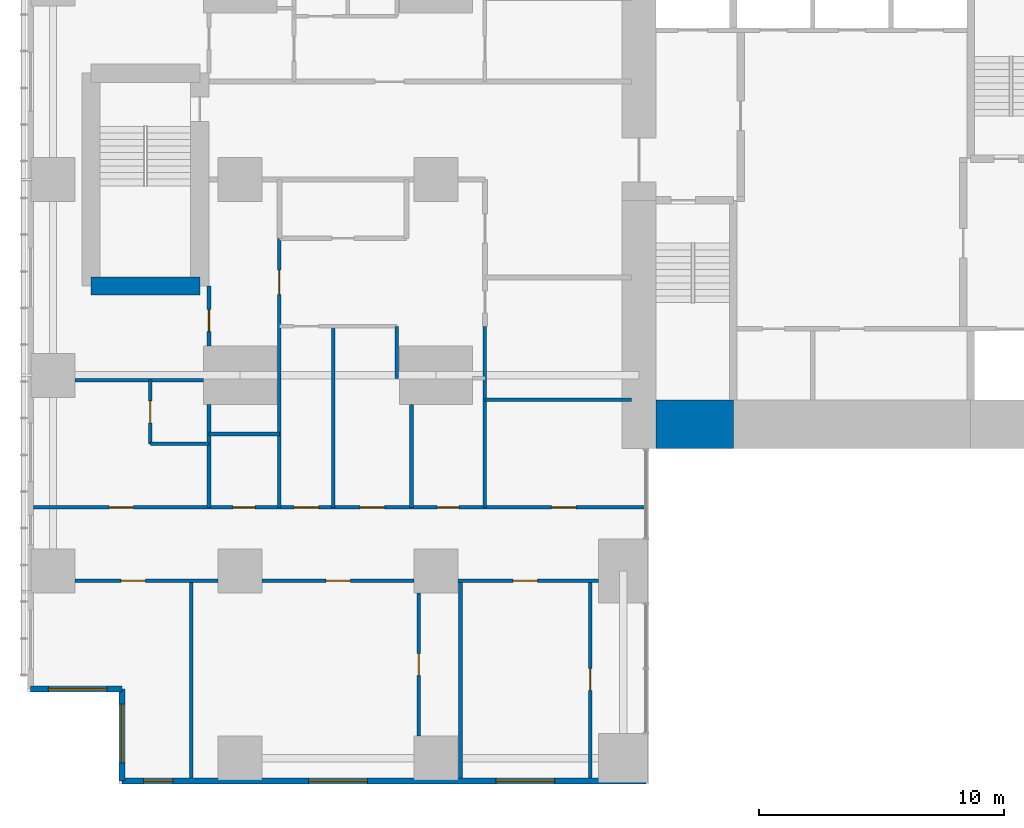
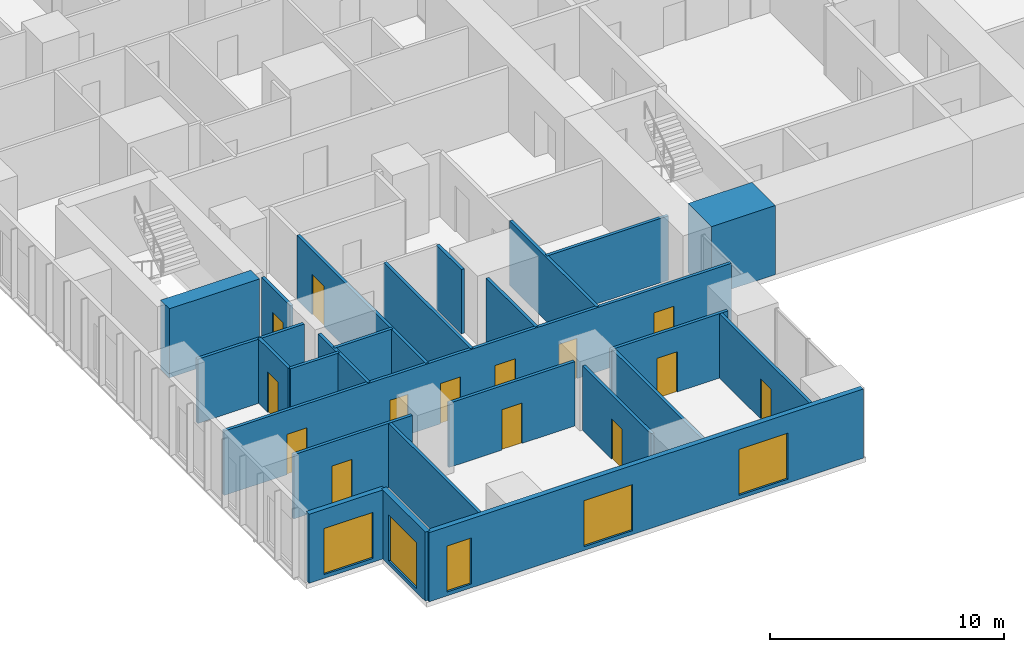
# One storey, part 12 of 20: 25 walls, 14 doors, 5 windows, 19 openings.
"""IFC4 building model written with IfcOpenShell, lengths in metres."""

from ifc_helpers import new_model, si_unit, direction, frame, frame_2d, origin, place, context, subcontext, project, spatial, rectangle, extrude, material, layer, layer_set, type_object, element, fill, save


model = new_model("IFC4")

# Units and contexts
model_context = context("Model", 3, precision=1e-05, world=origin(), true_north=direction((0.0, 1.0)))
body_context = subcontext(model_context, "Body", "Model", "MODEL_VIEW")
ifc_project = project(units=[si_unit("LENGTHUNIT", "METRE"), si_unit("AREAUNIT", "SQUARE_METRE"), si_unit("VOLUMEUNIT", "CUBIC_METRE"), si_unit("PLANEANGLEUNIT", "RADIAN"), si_unit("MASSUNIT", "GRAM", prefix="KILO")], contexts=[model_context])

# Site, building, storey
site_placement = place(None, origin())
site = spatial("IfcSite", under=ifc_project, at=site_placement, CompositionType="ELEMENT")
building_placement = place(site_placement, origin())
building = spatial("IfcBuilding", under=site, at=building_placement, Name="Cleftline Residences", CompositionType="ELEMENT")
storey_placement = place(building_placement, frame((0.0, 0.0, 193.0)))
storey = spatial("IfcBuildingStorey", under=building, at=storey_placement, Name="L50", CompositionType="ELEMENT", Elevation=193.0)

# Wall
ifc_material_1 = material(Name="Concrete B70", Category="concrete")
ifc_layer_1 = layer(ifc_material_1, 2.0)
ifc_layer_set_1 = layer_set([ifc_layer_1], Name="CORE WALL 2000")
wall_type_1 = type_object("IfcWallType", Name="CORE WALL 2000", PredefinedType="SHEAR", material=ifc_layer_set_1)
wall_1_placement = place(storey_placement, frame((25.0, 14.0, 0.0), z_axis=(0.0, 0.0, 1.0), x_axis=(1.0, 0.0, 0.0)))
element("IfcWall", 1, at=wall_1_placement, inside=storey, type_object=wall_type_1, Name="Core wall S1", PredefinedType="SHEAR", context=body_context, shape_type="SweptSolid", body=[
    extrude(rectangle(XDim=3.14990234375, YDim=2.0, at=frame_2d((1.574951171875, 0.0))), origin(), (0.0, 0.0, 1.0), 3.60009765625),
])

# Wall, opening, window
ifc_material_2 = material(Name="Rendered reinforced concrete blockwork", Category="masonry")
ifc_layer_2 = layer(ifc_material_2, 0.25)
ifc_layer_set_2 = layer_set([ifc_layer_2], Name="EXTERNAL WALL 250")
wall_type_2 = type_object("IfcWallType", Name="EXTERNAL WALL 250", PredefinedType="SOLIDWALL", material=ifc_layer_set_2)
wall_2_placement = place(storey_placement, frame((-0.574951171875, 3.175048828125, 0.0), z_axis=(0.0, 0.0, 1.0), x_axis=(1.0, 0.0, 0.0)))
wall_2 = element("IfcWall", 2, at=wall_2_placement, inside=storey, type_object=wall_type_2, Name="External wall", PredefinedType="SOLIDWALL", context=body_context, shape_type="SweptSolid", body=[
    extrude(rectangle(XDim=3.75, YDim=0.25, at=frame_2d((1.875, 0.0))), origin(), (0.0, 0.0, 1.0), 3.60009765625),
])
opening_1_placement = place(wall_2_placement, frame((0.737548828125, 0.0, 0.199951171875)))
opening_1 = element("IfcOpeningElement", 3, at=opening_1_placement, cuts=wall_2, Name="Opening W9", PredefinedType="OPENING", context=body_context, shape_type="SweptSolid", body=[
    extrude(rectangle(XDim=2.39990234375, YDim=2.39990234375, at=frame_2d((1.199951171875, 1.199951171875))), frame((0.0, 0.135009765625, 0.0), z_axis=(0.0, -1.0, 0.0), x_axis=(1.0, 0.0, 0.0)), (0.0, 0.0, 1.0), 0.27001953125),
])
ifc_material_3 = material(Name="Aluminium frame, clear double glazing", Category="aluminium")
window_type_1 = type_object("IfcWindowType", Name="WINDOW 2400X2400", PartitioningType="DOUBLE_PANEL_VERTICAL", PredefinedType="WINDOW", material=ifc_material_3)
window_1_placement = place(opening_1_placement, origin())
window_1 = element("IfcWindow", 4, at=window_1_placement, inside=storey, type_object=window_type_1, Name="Window", OverallHeight=2.39990234375, OverallWidth=2.39990234375, PartitioningType="SINGLE_PANEL", PredefinedType="WINDOW", context=body_context, shape_type="SweptSolid", body=[
    extrude(rectangle(XDim=2.39990234375, YDim=2.39990234375, at=frame_2d((1.199951171875, 1.199951171875))), frame((0.0, 0.030029296875, 0.0), z_axis=(0.0, -1.0, 0.0), x_axis=(1.0, 0.0, 0.0)), (0.0, 0.0, 1.0), 0.06005859375),
])
fill(opening_1, window_1)

wall_3_placement = place(storey_placement, frame((3.175048828125, 3.175048828125, 0.0), z_axis=(0.0, 0.0, 1.0), x_axis=(0.0, -1.0, 0.0)))
wall_3 = element("IfcWall", 5, at=wall_3_placement, inside=storey, type_object=wall_type_2, Name="External wall", PredefinedType="SOLIDWALL", context=body_context, shape_type="SweptSolid", body=[
    extrude(rectangle(XDim=3.75, YDim=0.25, at=frame_2d((1.875, 0.0))), origin(), (0.0, 0.0, 1.0), 3.60009765625),
])
opening_2_placement = place(wall_3_placement, frame((0.612548828125, 0.0, 0.199951171875)))
opening_2 = element("IfcOpeningElement", 6, at=opening_2_placement, cuts=wall_3, Name="Opening W9", PredefinedType="OPENING", context=body_context, shape_type="SweptSolid", body=[
    extrude(rectangle(XDim=2.39990234375, YDim=2.39990234375, at=frame_2d((1.199951171875, 1.199951171875))), frame((0.0, 0.135009765625, 0.0), z_axis=(0.0, -1.0, 0.0), x_axis=(1.0, 0.0, 0.0)), (0.0, 0.0, 1.0), 0.27001953125),
])
window_2_placement = place(opening_2_placement, origin())
window_2 = element("IfcWindow", 7, at=window_2_placement, inside=storey, type_object=window_type_1, Name="Window", OverallHeight=2.39990234375, OverallWidth=2.39990234375, PartitioningType="SINGLE_PANEL", PredefinedType="WINDOW", context=body_context, shape_type="SweptSolid", body=[
    extrude(rectangle(XDim=2.39990234375, YDim=2.39990234375, at=frame_2d((1.199951171875, 1.199951171875))), frame((0.0, 0.030029296875, 0.0), z_axis=(0.0, -1.0, 0.0), x_axis=(1.0, 0.0, 0.0)), (0.0, 0.0, 1.0), 0.06005859375),
])
fill(opening_2, window_2)

# Wall, openings, windows
wall_4_placement = place(storey_placement, frame((3.175048828125, -0.574951171875, 0.0), z_axis=(0.0, 0.0, 1.0), x_axis=(1.0, 0.0, 0.0)))
wall_4 = element("IfcWall", 8, at=wall_4_placement, inside=storey, type_object=wall_type_2, Name="External wall", PredefinedType="SOLIDWALL", context=body_context, shape_type="SweptSolid", body=[
    extrude(rectangle(XDim=21.39990234375, YDim=0.25, at=frame_2d((10.699951171875, 0.0))), origin(), (0.0, 0.0, 1.0), 3.60009765625),
])
opening_3_placement = place(wall_4_placement, frame((0.875, 0.0, 0.199951171875)))
opening_3 = element("IfcOpeningElement", 9, at=opening_3_placement, cuts=wall_4, Name="Opening W13", PredefinedType="OPENING", context=body_context, shape_type="SweptSolid", body=[
    extrude(rectangle(XDim=1.199951171875, YDim=2.39990234375, at=frame_2d((0.60009765625, 1.199951171875))), frame((0.0, 0.135009765625, 0.0), z_axis=(0.0, -1.0, 0.0), x_axis=(1.0, 0.0, 0.0)), (0.0, 0.0, 1.0), 0.27001953125),
])
opening_4_placement = place(wall_4_placement, frame((7.625, 0.0, 0.199951171875)))
opening_4 = element("IfcOpeningElement", 10, at=opening_4_placement, cuts=wall_4, Name="Opening W9", PredefinedType="OPENING", context=body_context, shape_type="SweptSolid", body=[
    extrude(rectangle(XDim=2.39990234375, YDim=2.39990234375, at=frame_2d((1.199951171875, 1.199951171875))), frame((0.0, 0.135009765625, 0.0), z_axis=(0.0, -1.0, 0.0), x_axis=(1.0, 0.0, 0.0)), (0.0, 0.0, 1.0), 0.27001953125),
])
opening_5_placement = place(wall_4_placement, frame((15.27490234375, 0.0, 0.199951171875)))
opening_5 = element("IfcOpeningElement", 11, at=opening_5_placement, cuts=wall_4, Name="Opening W9", PredefinedType="OPENING", context=body_context, shape_type="SweptSolid", body=[
    extrude(rectangle(XDim=2.39990234375, YDim=2.39990234375, at=frame_2d((1.199951171875, 1.199951171875))), frame((0.0, 0.135009765625, 0.0), z_axis=(0.0, -1.0, 0.0), x_axis=(1.0, 0.0, 0.0)), (0.0, 0.0, 1.0), 0.27001953125),
])
ifc_material_4 = material(Name="Aluminium frame, clear double glazing", Category="aluminium")
window_type_2 = type_object("IfcWindowType", Name="WINDOW 1200X2400", PartitioningType="DOUBLE_PANEL_VERTICAL", PredefinedType="WINDOW", material=ifc_material_4)
window_3_placement = place(opening_3_placement, origin())
window_3 = element("IfcWindow", 12, at=window_3_placement, inside=storey, type_object=window_type_2, Name="Window", OverallHeight=2.39990234375, OverallWidth=1.199951171875, PartitioningType="SINGLE_PANEL", PredefinedType="WINDOW", context=body_context, shape_type="SweptSolid", body=[
    extrude(rectangle(XDim=1.199951171875, YDim=2.39990234375, at=frame_2d((0.60009765625, 1.199951171875))), frame((0.0, 0.030029296875, 0.0), z_axis=(0.0, -1.0, 0.0), x_axis=(1.0, 0.0, 0.0)), (0.0, 0.0, 1.0), 0.06005859375),
])
fill(opening_3, window_3)
window_4_placement = place(opening_4_placement, origin())
window_4 = element("IfcWindow", 13, at=window_4_placement, inside=storey, type_object=window_type_1, Name="Window", OverallHeight=2.39990234375, OverallWidth=2.39990234375, PartitioningType="SINGLE_PANEL", PredefinedType="WINDOW", context=body_context, shape_type="SweptSolid", body=[
    extrude(rectangle(XDim=2.39990234375, YDim=2.39990234375, at=frame_2d((1.199951171875, 1.199951171875))), frame((0.0, 0.030029296875, 0.0), z_axis=(0.0, -1.0, 0.0), x_axis=(1.0, 0.0, 0.0)), (0.0, 0.0, 1.0), 0.06005859375),
])
fill(opening_4, window_4)
window_5_placement = place(opening_5_placement, origin())
window_5 = element("IfcWindow", 14, at=window_5_placement, inside=storey, type_object=window_type_1, Name="Window", OverallHeight=2.39990234375, OverallWidth=2.39990234375, PartitioningType="SINGLE_PANEL", PredefinedType="WINDOW", context=body_context, shape_type="SweptSolid", body=[
    extrude(rectangle(XDim=2.39990234375, YDim=2.39990234375, at=frame_2d((1.199951171875, 1.199951171875))), frame((0.0, 0.030029296875, 0.0), z_axis=(0.0, -1.0, 0.0), x_axis=(1.0, 0.0, 0.0)), (0.0, 0.0, 1.0), 0.06005859375),
])
fill(opening_5, window_5)

# Wall, opening, door
ifc_material_5 = material(Name="Gypsum board on steel studs", Category="steel")
ifc_layer_3 = layer(ifc_material_5, 0.14990234375)
ifc_layer_set_3 = layer_set([ifc_layer_3], Name="PARTITION 150")
wall_type_3 = type_object("IfcWallType", Name="PARTITION 150", PredefinedType="PARTITIONING", material=ifc_layer_set_3)
wall_5_placement = place(storey_placement, frame((1.25, 7.60009765625, 0.0), z_axis=(0.0, 0.0, 1.0), x_axis=(1.0, 0.0, 0.0)))
wall_5 = element("IfcWall", 15, at=wall_5_placement, inside=storey, type_object=wall_type_3, Name="Partition", PredefinedType="PARTITIONING", context=body_context, shape_type="SweptSolid", body=[
    extrude(rectangle(XDim=5.85009765625, YDim=0.14990234375, at=frame_2d((2.925048828125, 0.0))), origin(), (0.0, 0.0, 1.0), 3.35009765625),
])
opening_6_placement = place(wall_5_placement, frame((1.875, 0.0, 0.0)))
opening_6 = element("IfcOpeningElement", 16, at=opening_6_placement, cuts=wall_5, Name="Opening D2", PredefinedType="OPENING", context=body_context, shape_type="SweptSolid", body=[
    extrude(rectangle(XDim=1.0, YDim=2.10009765625, at=frame_2d((0.5, 1.050048828125))), frame((0.0, 0.0849609375, 0.0), z_axis=(0.0, -1.0, 0.0), x_axis=(1.0, 0.0, 0.0)), (0.0, 0.0, 1.0), 0.169921875),
])
ifc_material_6 = material(Name="Timber veneer on solid core", Category="wood")
door_type_1 = type_object("IfcDoorType", Name="DOOR 1000X2100", OperationType="SINGLE_SWING_LEFT", PredefinedType="DOOR", material=ifc_material_6)
door_1_placement = place(opening_6_placement, origin())
door_1 = element("IfcDoor", 17, at=door_1_placement, inside=storey, type_object=door_type_1, Name="Door to winter garden", OperationType="SINGLE_SWING_RIGHT", OverallHeight=2.10009765625, OverallWidth=1.0, PredefinedType="DOOR", context=body_context, shape_type="SweptSolid", body=[
    extrude(rectangle(XDim=1.0, YDim=2.10009765625, at=frame_2d((0.5, 1.050048828125))), frame((0.0, 0.02490234375, 0.0), z_axis=(0.0, -1.0, 0.0), x_axis=(1.0, 0.0, 0.0)), (0.0, 0.0, 1.0), 0.050048828125),
])
fill(opening_6, door_1)

wall_6_placement = place(storey_placement, frame((8.89990234375, 7.60009765625, 0.0), z_axis=(0.0, 0.0, 1.0), x_axis=(1.0, 0.0, 0.0)))
wall_6 = element("IfcWall", 18, at=wall_6_placement, inside=storey, type_object=wall_type_3, Name="Partition", PredefinedType="PARTITIONING", context=body_context, shape_type="SweptSolid", body=[
    extrude(rectangle(XDim=6.2001953125, YDim=0.14990234375, at=frame_2d((3.10009765625, 0.0))), origin(), (0.0, 0.0, 1.0), 3.35009765625),
])
opening_7_placement = place(wall_6_placement, frame((2.60009765625, 0.0, 0.0)))
opening_7 = element("IfcOpeningElement", 19, at=opening_7_placement, cuts=wall_6, Name="Opening D2", PredefinedType="OPENING", context=body_context, shape_type="SweptSolid", body=[
    extrude(rectangle(XDim=1.0, YDim=2.10009765625, at=frame_2d((0.5, 1.050048828125))), frame((0.0, 0.0849609375, 0.0), z_axis=(0.0, -1.0, 0.0), x_axis=(1.0, 0.0, 0.0)), (0.0, 0.0, 1.0), 0.169921875),
])
door_2_placement = place(opening_7_placement, origin())
door_2 = element("IfcDoor", 20, at=door_2_placement, inside=storey, type_object=door_type_1, Name="Door to great room", OperationType="SINGLE_SWING_LEFT", OverallHeight=2.10009765625, OverallWidth=1.0, PredefinedType="DOOR", context=body_context, shape_type="SweptSolid", body=[
    extrude(rectangle(XDim=1.0, YDim=2.10009765625, at=frame_2d((0.5, 1.050048828125))), frame((0.0, 0.02490234375, 0.0), z_axis=(0.0, -1.0, 0.0), x_axis=(1.0, 0.0, 0.0)), (0.0, 0.0, 1.0), 0.050048828125),
])
fill(opening_7, door_2)

wall_7_placement = place(storey_placement, frame((16.89990234375, 7.60009765625, 0.0), z_axis=(0.0, 0.0, 1.0), x_axis=(1.0, 0.0, 0.0)))
wall_7 = element("IfcWall", 21, at=wall_7_placement, inside=storey, type_object=wall_type_3, Name="Partition", PredefinedType="PARTITIONING", context=body_context, shape_type="SweptSolid", body=[
    extrude(rectangle(XDim=5.75, YDim=0.14990234375, at=frame_2d((2.875, 0.0))), origin(), (0.0, 0.0, 1.0), 3.35009765625),
])
opening_8_placement = place(wall_7_placement, frame((2.25, 0.0, 0.0)))
opening_8 = element("IfcOpeningElement", 22, at=opening_8_placement, cuts=wall_7, Name="Opening D2", PredefinedType="OPENING", context=body_context, shape_type="SweptSolid", body=[
    extrude(rectangle(XDim=1.0, YDim=2.10009765625, at=frame_2d((0.5, 1.050048828125))), frame((0.0, 0.0849609375, 0.0), z_axis=(0.0, -1.0, 0.0), x_axis=(1.0, 0.0, 0.0)), (0.0, 0.0, 1.0), 0.169921875),
])
door_3_placement = place(opening_8_placement, origin())
door_3 = element("IfcDoor", 23, at=door_3_placement, inside=storey, type_object=door_type_1, Name="Door to show kitchen", OperationType="SINGLE_SWING_RIGHT", OverallHeight=2.10009765625, OverallWidth=1.0, PredefinedType="DOOR", context=body_context, shape_type="SweptSolid", body=[
    extrude(rectangle(XDim=1.0, YDim=2.10009765625, at=frame_2d((0.5, 1.050048828125))), frame((0.0, 0.02490234375, 0.0), z_axis=(0.0, -1.0, 0.0), x_axis=(1.0, 0.0, 0.0)), (0.0, 0.0, 1.0), 0.050048828125),
])
fill(opening_8, door_3)

# Wall, openings, doors
wall_8_placement = place(storey_placement, frame((-0.449951171875, 10.60009765625, 0.0), z_axis=(0.0, 0.0, 1.0), x_axis=(1.0, 0.0, 0.0)))
wall_8 = element("IfcWall", 24, at=wall_8_placement, inside=storey, type_object=wall_type_3, Name="Partition", PredefinedType="PARTITIONING", context=body_context, shape_type="SweptSolid", body=[
    extrude(rectangle(XDim=25.010986328125, YDim=0.14990234375, at=frame_2d((12.50537109375, 0.0))), origin(), (0.0, 0.0, 1.0), 3.35009765625),
])
opening_9_placement = place(wall_8_placement, frame((10.64990234375, 0.0, 0.0)))
opening_9 = element("IfcOpeningElement", 25, at=opening_9_placement, cuts=wall_8, Name="Opening D2", PredefinedType="OPENING", context=body_context, shape_type="SweptSolid", body=[
    extrude(rectangle(XDim=1.0, YDim=2.10009765625, at=frame_2d((0.5, 1.050048828125))), frame((0.0, 0.0849609375, 0.0), z_axis=(0.0, -1.0, 0.0), x_axis=(1.0, 0.0, 0.0)), (0.0, 0.0, 1.0), 0.169921875),
])
opening_10_placement = place(wall_8_placement, frame((3.08740234375, 0.0, 0.0)))
opening_10 = element("IfcOpeningElement", 26, at=opening_10_placement, cuts=wall_8, Name="Opening D2", PredefinedType="OPENING", context=body_context, shape_type="SweptSolid", body=[
    extrude(rectangle(XDim=1.0, YDim=2.10009765625, at=frame_2d((0.5, 1.050048828125))), frame((0.0, 0.0849609375, 0.0), z_axis=(0.0, -1.0, 0.0), x_axis=(1.0, 0.0, 0.0)), (0.0, 0.0, 1.0), 0.169921875),
])
opening_11_placement = place(wall_8_placement, frame((8.16259765625, 0.0, 0.0)))
opening_11 = element("IfcOpeningElement", 27, at=opening_11_placement, cuts=wall_8, Name="Opening D1", PredefinedType="OPENING", context=body_context, shape_type="SweptSolid", body=[
    extrude(rectangle(XDim=0.89990234375, YDim=2.10009765625, at=frame_2d((0.449951171875, 1.050048828125))), frame((0.0, 0.0849609375, 0.0), z_axis=(0.0, -1.0, 0.0), x_axis=(1.0, 0.0, 0.0)), (0.0, 0.0, 1.0), 0.169921875),
])
opening_12_placement = place(wall_8_placement, frame((13.35009765625, 0.0, 0.0)))
opening_12 = element("IfcOpeningElement", 28, at=opening_12_placement, cuts=wall_8, Name="Opening D2", PredefinedType="OPENING", context=body_context, shape_type="SweptSolid", body=[
    extrude(rectangle(XDim=1.0, YDim=2.10009765625, at=frame_2d((0.5, 1.050048828125))), frame((0.0, 0.0849609375, 0.0), z_axis=(0.0, -1.0, 0.0), x_axis=(1.0, 0.0, 0.0)), (0.0, 0.0, 1.0), 0.169921875),
])
opening_13_placement = place(wall_8_placement, frame((16.5, 0.0, 0.0)))
opening_13 = element("IfcOpeningElement", 29, at=opening_13_placement, cuts=wall_8, Name="Opening D1", PredefinedType="OPENING", context=body_context, shape_type="SweptSolid", body=[
    extrude(rectangle(XDim=0.89990234375, YDim=2.10009765625, at=frame_2d((0.449951171875, 1.050048828125))), frame((0.0, 0.0849609375, 0.0), z_axis=(0.0, -1.0, 0.0), x_axis=(1.0, 0.0, 0.0)), (0.0, 0.0, 1.0), 0.169921875),
])
opening_14_placement = place(wall_8_placement, frame((21.175048828125, 0.0, 0.0)))
opening_14 = element("IfcOpeningElement", 30, at=opening_14_placement, cuts=wall_8, Name="Opening D2", PredefinedType="OPENING", context=body_context, shape_type="SweptSolid", body=[
    extrude(rectangle(XDim=1.0, YDim=2.10009765625, at=frame_2d((0.5, 1.050048828125))), frame((0.0, 0.0849609375, 0.0), z_axis=(0.0, -1.0, 0.0), x_axis=(1.0, 0.0, 0.0)), (0.0, 0.0, 1.0), 0.169921875),
])
door_4_placement = place(opening_9_placement, origin())
door_4 = element("IfcDoor", 31, at=door_4_placement, inside=storey, type_object=door_type_1, Name="Door to residence hall", OperationType="SINGLE_SWING_RIGHT", OverallHeight=2.10009765625, OverallWidth=1.0, PredefinedType="DOOR", context=body_context, shape_type="SweptSolid", body=[
    extrude(rectangle(XDim=1.0, YDim=2.10009765625, at=frame_2d((0.5, 1.050048828125))), frame((0.0, 0.02490234375, 0.0), z_axis=(0.0, -1.0, 0.0), x_axis=(1.0, 0.0, 0.0)), (0.0, 0.0, 1.0), 0.050048828125),
])
fill(opening_9, door_4)
door_5_placement = place(opening_10_placement, origin())
door_5 = element("IfcDoor", 32, at=door_5_placement, inside=storey, type_object=door_type_1, Name="Door to guest bedroom", OperationType="SINGLE_SWING_RIGHT", OverallHeight=2.10009765625, OverallWidth=1.0, PredefinedType="DOOR", context=body_context, shape_type="SweptSolid", body=[
    extrude(rectangle(XDim=1.0, YDim=2.10009765625, at=frame_2d((0.5, 1.050048828125))), frame((0.0, 0.02490234375, 0.0), z_axis=(0.0, -1.0, 0.0), x_axis=(1.0, 0.0, 0.0)), (0.0, 0.0, 1.0), 0.050048828125),
])
fill(opening_10, door_5)
door_6_placement = place(opening_12_placement, origin())
door_6 = element("IfcDoor", 33, at=door_6_placement, inside=storey, type_object=door_type_1, Name="Door to wet kitchen", OperationType="SINGLE_SWING_LEFT", OverallHeight=2.10009765625, OverallWidth=1.0, PredefinedType="DOOR", context=body_context, shape_type="SweptSolid", body=[
    extrude(rectangle(XDim=1.0, YDim=2.10009765625, at=frame_2d((0.5, 1.050048828125))), frame((0.0, 0.02490234375, 0.0), z_axis=(0.0, -1.0, 0.0), x_axis=(1.0, 0.0, 0.0)), (0.0, 0.0, 1.0), 0.050048828125),
])
fill(opening_12, door_6)
door_7_placement = place(opening_14_placement, origin())
door_7 = element("IfcDoor", 34, at=door_7_placement, inside=storey, type_object=door_type_1, Name="Door to breakfast room", OperationType="SINGLE_SWING_LEFT", OverallHeight=2.10009765625, OverallWidth=1.0, PredefinedType="DOOR", context=body_context, shape_type="SweptSolid", body=[
    extrude(rectangle(XDim=1.0, YDim=2.10009765625, at=frame_2d((0.5, 1.050048828125))), frame((0.0, 0.02490234375, 0.0), z_axis=(0.0, -1.0, 0.0), x_axis=(1.0, 0.0, 0.0)), (0.0, 0.0, 1.0), 0.050048828125),
])
fill(opening_14, door_7)
ifc_material_7 = material(Name="Timber veneer on solid core", Category="wood")
door_type_2 = type_object("IfcDoorType", Name="DOOR 900X2100", OperationType="SINGLE_SWING_LEFT", PredefinedType="DOOR", material=ifc_material_7)
door_8_placement = place(opening_11_placement, origin())
door_8 = element("IfcDoor", 35, at=door_8_placement, inside=storey, type_object=door_type_2, Name="Door to coat store", OperationType="SINGLE_SWING_RIGHT", OverallHeight=2.10009765625, OverallWidth=0.89990234375, PredefinedType="DOOR", context=body_context, shape_type="SweptSolid", body=[
    extrude(rectangle(XDim=0.89990234375, YDim=2.10009765625, at=frame_2d((0.449951171875, 1.050048828125))), frame((0.0, 0.02490234375, 0.0), z_axis=(0.0, -1.0, 0.0), x_axis=(1.0, 0.0, 0.0)), (0.0, 0.0, 1.0), 0.050048828125),
])
fill(opening_11, door_8)
door_9_placement = place(opening_13_placement, origin())
door_9 = element("IfcDoor", 36, at=door_9_placement, inside=storey, type_object=door_type_2, Name="Door to pantry", OperationType="SINGLE_SWING_LEFT", OverallHeight=2.10009765625, OverallWidth=0.89990234375, PredefinedType="DOOR", context=body_context, shape_type="SweptSolid", body=[
    extrude(rectangle(XDim=0.89990234375, YDim=2.10009765625, at=frame_2d((0.449951171875, 1.050048828125))), frame((0.0, 0.02490234375, 0.0), z_axis=(0.0, -1.0, 0.0), x_axis=(1.0, 0.0, 0.0)), (0.0, 0.0, 1.0), 0.050048828125),
])
fill(opening_13, door_9)

# Walls
wall_9_placement = place(storey_placement, frame((4.324951171875, 13.199951171875, 0.0), z_axis=(0.0, 0.0, 1.0), x_axis=(1.0, 0.0, 0.0)))
element("IfcWall", 37, at=wall_9_placement, inside=storey, type_object=wall_type_3, Name="Partition", PredefinedType="PARTITIONING", context=body_context, shape_type="SweptSolid", body=[
    extrude(rectangle(XDim=2.400146484375, YDim=0.14990234375, at=frame_2d((1.2001953125, 0.0))), origin(), (0.0, 0.0, 1.0), 3.35009765625),
])
wall_10_placement = place(storey_placement, frame((6.72509765625, 13.60009765625, 0.0), z_axis=(0.0, 0.0, 1.0), x_axis=(1.0, 0.0, 0.0)))
element("IfcWall", 38, at=wall_10_placement, inside=storey, type_object=wall_type_3, Name="Partition", PredefinedType="PARTITIONING", context=body_context, shape_type="SweptSolid", body=[
    extrude(rectangle(XDim=2.875, YDim=0.14990234375, at=frame_2d((1.4375, 0.0))), origin(), (0.0, 0.0, 1.0), 3.35009765625),
])
wall_11_placement = place(storey_placement, frame((18.0, 15.0, 0.0), z_axis=(0.0, 0.0, 1.0), x_axis=(1.0, 0.0, 0.0)))
element("IfcWall", 39, at=wall_11_placement, inside=storey, type_object=wall_type_3, Name="Partition", PredefinedType="PARTITIONING", context=body_context, shape_type="SweptSolid", body=[
    extrude(rectangle(XDim=6.0, YDim=0.14990234375, at=frame_2d((3.0, 0.0))), origin(), (0.0, 0.0, 1.0), 3.35009765625),
])
wall_12_placement = place(storey_placement, frame((1.25, 15.800048828125, 0.0), z_axis=(0.0, 0.0, 1.0), x_axis=(1.0, 0.0, 0.0)))
element("IfcWall", 40, at=wall_12_placement, inside=storey, type_object=wall_type_3, Name="Partition", PredefinedType="PARTITIONING", context=body_context, shape_type="SweptSolid", body=[
    extrude(rectangle(XDim=5.25, YDim=0.14990234375, at=frame_2d((2.625, 0.0))), origin(), (0.0, 0.0, 1.0), 3.35009765625),
])

# Wall, opening, door
wall_13_placement = place(storey_placement, frame((4.324951171875, 13.199951171875, 0.0), z_axis=(0.0, 0.0, 1.0), x_axis=(0.0, 1.0, 0.0)))
wall_13 = element("IfcWall", 41, at=wall_13_placement, inside=storey, type_object=wall_type_3, Name="Partition", PredefinedType="PARTITIONING", context=body_context, shape_type="SweptSolid", body=[
    extrude(rectangle(XDim=2.60009765625, YDim=0.14990234375, at=frame_2d((1.300048828125, 0.0))), origin(), (0.0, 0.0, 1.0), 3.35009765625),
])
opening_15_placement = place(wall_13_placement, frame((0.85009765625, 0.0, 0.0)))
opening_15 = element("IfcOpeningElement", 42, at=opening_15_placement, cuts=wall_13, Name="Opening D1", PredefinedType="OPENING", context=body_context, shape_type="SweptSolid", body=[
    extrude(rectangle(XDim=0.89990234375, YDim=2.10009765625, at=frame_2d((0.449951171875, 1.050048828125))), frame((0.0, 0.0849609375, 0.0), z_axis=(0.0, -1.0, 0.0), x_axis=(1.0, 0.0, 0.0)), (0.0, 0.0, 1.0), 0.169921875),
])
door_10_placement = place(opening_15_placement, origin())
door_10 = element("IfcDoor", 43, at=door_10_placement, inside=storey, type_object=door_type_2, Name="Door to guest bathroom", OperationType="SINGLE_SWING_LEFT", OverallHeight=2.10009765625, OverallWidth=0.89990234375, PredefinedType="DOOR", context=body_context, shape_type="SweptSolid", body=[
    extrude(rectangle(XDim=0.89990234375, YDim=2.10009765625, at=frame_2d((0.449951171875, 1.050048828125))), frame((0.0, 0.02490234375, 0.0), z_axis=(0.0, -1.0, 0.0), x_axis=(1.0, 0.0, 0.0)), (0.0, 0.0, 1.0), 0.050048828125),
])
fill(opening_15, door_10)

# Walls
wall_14_placement = place(storey_placement, frame((6.0, -0.449951171875, 0.0), z_axis=(0.0, 0.0, 1.0), x_axis=(0.0, 1.0, 0.0)))
element("IfcWall", 44, at=wall_14_placement, inside=storey, type_object=wall_type_3, Name="Partition", PredefinedType="PARTITIONING", context=body_context, shape_type="SweptSolid", body=[
    extrude(rectangle(XDim=8.050048828125, YDim=0.14990234375, at=frame_2d((4.02490234375, 0.0))), origin(), (0.0, 0.0, 1.0), 3.35009765625),
])
wall_15_placement = place(storey_placement, frame((6.72509765625, 10.60009765625, 0.0), z_axis=(0.0, 0.0, 1.0), x_axis=(0.0, 1.0, 0.0)))
element("IfcWall", 45, at=wall_15_placement, inside=storey, type_object=wall_type_3, Name="Partition", PredefinedType="PARTITIONING", context=body_context, shape_type="SweptSolid", body=[
    extrude(rectangle(XDim=4.199951171875, YDim=0.14990234375, at=frame_2d((2.10009765625, 0.0))), origin(), (0.0, 0.0, 1.0), 3.35009765625),
])

# Wall, opening, door
wall_16_placement = place(storey_placement, frame((6.72509765625, 17.199951171875, 0.0), z_axis=(0.0, 0.0, 1.0), x_axis=(0.0, 1.0, 0.0)))
wall_16 = element("IfcWall", 46, at=wall_16_placement, inside=storey, type_object=wall_type_3, Name="Partition", PredefinedType="PARTITIONING", context=body_context, shape_type="SweptSolid", body=[
    extrude(rectangle(XDim=2.449951171875, YDim=0.14990234375, at=frame_2d((1.22509765625, 0.0))), origin(), (0.0, 0.0, 1.0), 3.35009765625),
])
opening_16_placement = place(wall_16_placement, frame((0.58740234375, 0.0, 0.0)))
opening_16 = element("IfcOpeningElement", 47, at=opening_16_placement, cuts=wall_16, Name="Opening D1", PredefinedType="OPENING", context=body_context, shape_type="SweptSolid", body=[
    extrude(rectangle(XDim=0.89990234375, YDim=2.10009765625, at=frame_2d((0.449951171875, 1.050048828125))), frame((0.0, 0.0849609375, 0.0), z_axis=(0.0, -1.0, 0.0), x_axis=(1.0, 0.0, 0.0)), (0.0, 0.0, 1.0), 0.169921875),
])
door_11_placement = place(opening_16_placement, origin())
door_11 = element("IfcDoor", 48, at=door_11_placement, inside=storey, type_object=door_type_2, Name="Door to drying loggia", OperationType="SINGLE_SWING_RIGHT", OverallHeight=2.10009765625, OverallWidth=0.89990234375, PredefinedType="DOOR", context=body_context, shape_type="SweptSolid", body=[
    extrude(rectangle(XDim=0.89990234375, YDim=2.10009765625, at=frame_2d((0.449951171875, 1.050048828125))), frame((0.0, 0.02490234375, 0.0), z_axis=(0.0, -1.0, 0.0), x_axis=(1.0, 0.0, 0.0)), (0.0, 0.0, 1.0), 0.050048828125),
])
fill(opening_16, door_11)

wall_17_placement = place(storey_placement, frame((9.60009765625, 10.60009765625, 0.0), z_axis=(0.0, 0.0, 1.0), x_axis=(0.0, 1.0, 0.0)))
wall_17 = element("IfcWall", 49, at=wall_17_placement, inside=storey, type_object=wall_type_3, Name="Partition", PredefinedType="PARTITIONING", context=body_context, shape_type="SweptSolid", body=[
    extrude(rectangle(XDim=11.0, YDim=0.14990234375, at=frame_2d((5.5, 0.0))), origin(), (0.0, 0.0, 1.0), 3.35009765625),
])
opening_17_placement = place(wall_17_placement, frame((8.699951171875, 0.0, 0.0)))
opening_17 = element("IfcOpeningElement", 50, at=opening_17_placement, cuts=wall_17, Name="Opening D2F30", PredefinedType="OPENING", context=body_context, shape_type="SweptSolid", body=[
    extrude(rectangle(XDim=1.0, YDim=2.10009765625, at=frame_2d((0.5, 1.050048828125))), frame((0.0, 0.0849609375, 0.0), z_axis=(0.0, -1.0, 0.0), x_axis=(1.0, 0.0, 0.0)), (0.0, 0.0, 1.0), 0.169921875),
])
ifc_material_8 = material(Name="Timber veneer on solid core", Category="wood")
door_type_3 = type_object("IfcDoorType", Name="DOOR 1000X2100 EI 30", OperationType="SINGLE_SWING_LEFT", PredefinedType="DOOR", material=ifc_material_8)
door_12_placement = place(opening_17_placement, origin())
door_12 = element("IfcDoor", 51, at=door_12_placement, inside=storey, type_object=door_type_3, Name="Door to residence lobby", OperationType="SINGLE_SWING_LEFT", OverallHeight=2.10009765625, OverallWidth=1.0, PredefinedType="DOOR", context=body_context, shape_type="SweptSolid", body=[
    extrude(rectangle(XDim=1.0, YDim=2.10009765625, at=frame_2d((0.5, 1.050048828125))), frame((0.0, 0.02490234375, 0.0), z_axis=(0.0, -1.0, 0.0), x_axis=(1.0, 0.0, 0.0)), (0.0, 0.0, 1.0), 0.050048828125),
])
fill(opening_17, door_12)

# Walls
wall_18_placement = place(storey_placement, frame((11.800048828125, 10.60009765625, 0.0), z_axis=(0.0, 0.0, 1.0), x_axis=(0.0, 1.0, 0.0)))
element("IfcWall", 52, at=wall_18_placement, inside=storey, type_object=wall_type_3, Name="Partition", PredefinedType="PARTITIONING", context=body_context, shape_type="SweptSolid", body=[
    extrude(rectangle(XDim=7.39990234375, YDim=0.14990234375, at=frame_2d((3.699951171875, 0.0))), origin(), (0.0, 0.0, 1.0), 3.35009765625),
])
wall_19_placement = place(storey_placement, frame((14.39990234375, 15.875, 0.0), z_axis=(0.0, 0.0, 1.0), x_axis=(0.0, 1.0, 0.0)))
element("IfcWall", 53, at=wall_19_placement, inside=storey, type_object=wall_type_3, Name="Partition", PredefinedType="PARTITIONING", context=body_context, shape_type="SweptSolid", body=[
    extrude(rectangle(XDim=2.125, YDim=0.14990234375, at=frame_2d((1.0625, 0.0))), origin(), (0.0, 0.0, 1.0), 3.35009765625),
])
wall_20_placement = place(storey_placement, frame((15.0, 10.60009765625, 0.0), z_axis=(0.0, 0.0, 1.0), x_axis=(0.0, 1.0, 0.0)))
element("IfcWall", 54, at=wall_20_placement, inside=storey, type_object=wall_type_3, Name="Partition", PredefinedType="PARTITIONING", context=body_context, shape_type="SweptSolid", body=[
    extrude(rectangle(XDim=4.199951171875, YDim=0.14990234375, at=frame_2d((2.10009765625, 0.0))), origin(), (0.0, 0.0, 1.0), 3.35009765625),
])

# Wall, opening, door
wall_21_placement = place(storey_placement, frame((15.300048828125, 1.25, 0.0), z_axis=(0.0, 0.0, 1.0), x_axis=(0.0, 1.0, 0.0)))
wall_21 = element("IfcWall", 55, at=wall_21_placement, inside=storey, type_object=wall_type_3, Name="Partition", PredefinedType="PARTITIONING", context=body_context, shape_type="SweptSolid", body=[
    extrude(rectangle(XDim=5.85009765625, YDim=0.14990234375, at=frame_2d((2.925048828125, 0.0))), origin(), (0.0, 0.0, 1.0), 3.35009765625),
])
opening_18_placement = place(wall_21_placement, frame((2.47509765625, 0.0, 0.0)))
opening_18 = element("IfcOpeningElement", 56, at=opening_18_placement, cuts=wall_21, Name="Opening D1", PredefinedType="OPENING", context=body_context, shape_type="SweptSolid", body=[
    extrude(rectangle(XDim=0.89990234375, YDim=2.10009765625, at=frame_2d((0.449951171875, 1.050048828125))), frame((0.0, 0.0849609375, 0.0), z_axis=(0.0, -1.0, 0.0), x_axis=(1.0, 0.0, 0.0)), (0.0, 0.0, 1.0), 0.169921875),
])
door_13_placement = place(opening_18_placement, origin())
door_13 = element("IfcDoor", 57, at=door_13_placement, inside=storey, type_object=door_type_2, Name="Door to store room", OperationType="SINGLE_SWING_LEFT", OverallHeight=2.10009765625, OverallWidth=0.89990234375, PredefinedType="DOOR", context=body_context, shape_type="SweptSolid", body=[
    extrude(rectangle(XDim=0.89990234375, YDim=2.10009765625, at=frame_2d((0.449951171875, 1.050048828125))), frame((0.0, 0.02490234375, 0.0), z_axis=(0.0, -1.0, 0.0), x_axis=(1.0, 0.0, 0.0)), (0.0, 0.0, 1.0), 0.050048828125),
])
fill(opening_18, door_13)

# Walls
wall_22_placement = place(storey_placement, frame((17.0, -0.449951171875, 0.0), z_axis=(0.0, 0.0, 1.0), x_axis=(0.0, 1.0, 0.0)))
element("IfcWall", 58, at=wall_22_placement, inside=storey, type_object=wall_type_3, Name="Partition", PredefinedType="PARTITIONING", context=body_context, shape_type="SweptSolid", body=[
    extrude(rectangle(XDim=8.050048828125, YDim=0.14990234375, at=frame_2d((4.02490234375, 0.0))), origin(), (0.0, 0.0, 1.0), 3.35009765625),
])
wall_23_placement = place(storey_placement, frame((18.0, 10.60009765625, 0.0), z_axis=(0.0, 0.0, 1.0), x_axis=(0.0, 1.0, 0.0)))
element("IfcWall", 59, at=wall_23_placement, inside=storey, type_object=wall_type_3, Name="Partition", PredefinedType="PARTITIONING", context=body_context, shape_type="SweptSolid", body=[
    extrude(rectangle(XDim=7.39990234375, YDim=0.14990234375, at=frame_2d((3.699951171875, 0.0))), origin(), (0.0, 0.0, 1.0), 3.35009765625),
])

# Wall, opening, door
wall_24_placement = place(storey_placement, frame((22.300048828125, -0.449951171875, 0.0), z_axis=(0.0, 0.0, 1.0), x_axis=(0.0, 1.0, 0.0)))
wall_24 = element("IfcWall", 60, at=wall_24_placement, inside=storey, type_object=wall_type_3, Name="Partition", PredefinedType="PARTITIONING", context=body_context, shape_type="SweptSolid", body=[
    extrude(rectangle(XDim=8.050048828125, YDim=0.14990234375, at=frame_2d((4.02490234375, 0.0))), origin(), (0.0, 0.0, 1.0), 3.35009765625),
])
opening_19_placement = place(wall_24_placement, frame((3.574951171875, 0.0, 0.0)))
opening_19 = element("IfcOpeningElement", 61, at=opening_19_placement, cuts=wall_24, Name="Opening D1", PredefinedType="OPENING", context=body_context, shape_type="SweptSolid", body=[
    extrude(rectangle(XDim=0.89990234375, YDim=2.10009765625, at=frame_2d((0.449951171875, 1.050048828125))), frame((0.0, 0.0849609375, 0.0), z_axis=(0.0, -1.0, 0.0), x_axis=(1.0, 0.0, 0.0)), (0.0, 0.0, 1.0), 0.169921875),
])
door_14_placement = place(opening_19_placement, origin())
door_14 = element("IfcDoor", 62, at=door_14_placement, inside=storey, type_object=door_type_2, Name="Door to larder", OperationType="SINGLE_SWING_LEFT", OverallHeight=2.10009765625, OverallWidth=0.89990234375, PredefinedType="DOOR", context=body_context, shape_type="SweptSolid", body=[
    extrude(rectangle(XDim=0.89990234375, YDim=2.10009765625, at=frame_2d((0.449951171875, 1.050048828125))), frame((0.0, 0.02490234375, 0.0), z_axis=(0.0, -1.0, 0.0), x_axis=(1.0, 0.0, 0.0)), (0.0, 0.0, 1.0), 0.050048828125),
])
fill(opening_19, door_14)

# Wall
ifc_material_9 = material(Name="Concrete B70", Category="concrete")
ifc_layer_4 = layer(ifc_material_9, 0.75)
ifc_layer_set_4 = layer_set([ifc_layer_4], Name="SHEAR WALL 750")
wall_type_4 = type_object("IfcWallType", Name="SHEAR WALL 750", PredefinedType="SHEAR", material=ifc_layer_set_4)
wall_25_placement = place(storey_placement, frame((1.89990234375, 19.64990234375, 0.0), z_axis=(0.0, 0.0, 1.0), x_axis=(1.0, 0.0, 0.0)))
element("IfcWall", 63, at=wall_25_placement, inside=storey, type_object=wall_type_4, Name="Wing shear wall", PredefinedType="SHEAR", context=body_context, shape_type="SweptSolid", body=[
    extrude(rectangle(XDim=4.4501953125, YDim=0.75, at=frame_2d((2.22509765625, 0.0))), origin(), (0.0, 0.0, 1.0), 3.60009765625),
])

save(model, "model.ifc")
